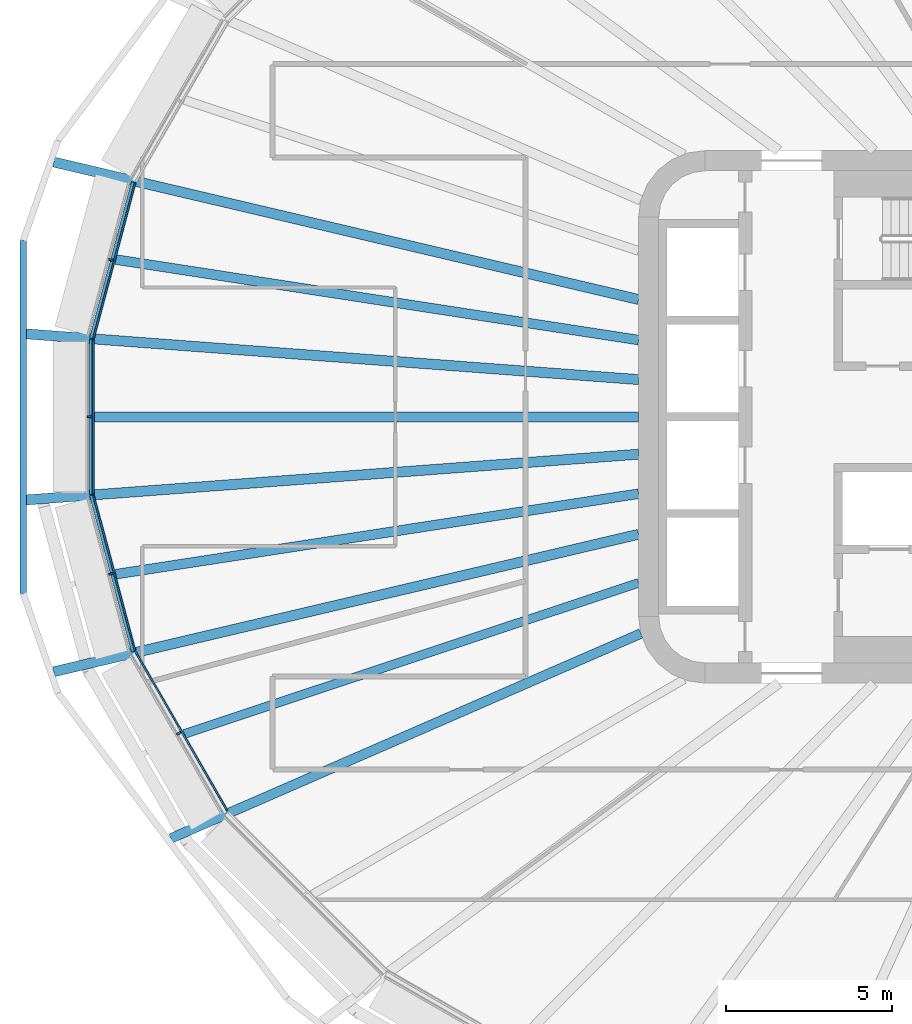
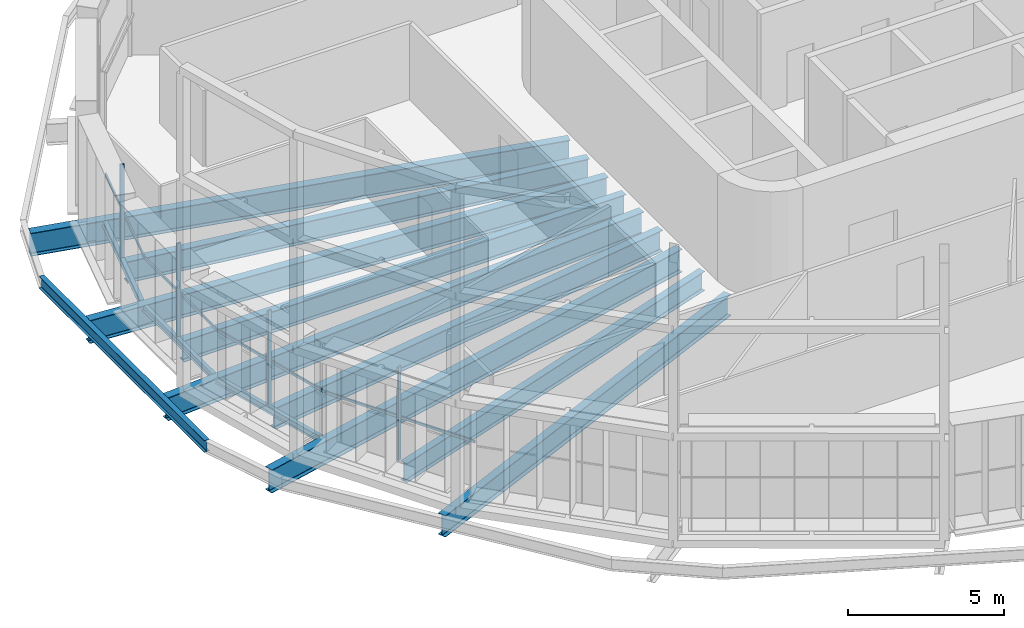
# One storey, part 3 of 25: 13 beams, 8 members, 4 elements without a shape of their own.
"""IFC4 building model written with IfcOpenShell, lengths in metres."""

from ifc_helpers import new_model, si_unit, direction, frame, origin, origin_2d, place, context, subcontext, project, spatial, rectangle, i_section, extrude, material, layer, layer_set, material_profile, profile_set, type_object, element, aggregate, save


model = new_model("IFC4")

# Units and contexts
model_context = context("Model", 3, precision=1e-05, world=origin(), true_north=direction((0.0, 1.0)))
body_context = subcontext(model_context, "Body", "Model", "MODEL_VIEW")
ifc_project = project(units=[si_unit("LENGTHUNIT", "METRE"), si_unit("AREAUNIT", "SQUARE_METRE"), si_unit("VOLUMEUNIT", "CUBIC_METRE"), si_unit("PLANEANGLEUNIT", "RADIAN"), si_unit("MASSUNIT", "GRAM", prefix="KILO")], contexts=[model_context])

# Site, building, storey
site_placement = place(None, origin())
site = spatial("IfcSite", under=ifc_project, at=site_placement, CompositionType="ELEMENT")
building_placement = place(site_placement, origin())
building = spatial("IfcBuilding", under=site, at=building_placement, Name="Sahrelin Media Tower", CompositionType="ELEMENT")
storey_placement = place(building_placement, frame((0.0, 0.0, 135.60009765625)))
storey = spatial("IfcBuildingStorey", under=building, at=storey_placement, Name="L27", CompositionType="ELEMENT", Elevation=135.60009765625)

# Beams
ifc_material_1 = material(Name="Steel S355", Category="steel")
ifc_material_profile_1 = material_profile(ifc_material_1, i_section(OverallWidth=0.14599609375, OverallDepth=0.25146484375, WebThickness=0.006103515625, FlangeThickness=0.008544921875, FilletRadius=0.007568359375, at=origin_2d()), Name="UB 254x146x31")
ifc_profile_set_1 = profile_set([ifc_material_profile_1], Name="Steel S355")
beam_type_1 = type_object("IfcBeamType", Name="Edge beam EB1", PredefinedType="BEAM", material=ifc_profile_set_1)
beam_1_placement = place(storey_placement, frame((-30.165771484375, -7.052001953125, -0.27587890625), z_axis=(-0.258796286999, 0.965931924017, 0.0), x_axis=(-0.965931924017, -0.258796286999, 0.0)))
element("IfcBeam", 1, at=beam_1_placement, inside=storey, type_object=beam_type_1, Name="Edge beam L27-12", PredefinedType="BEAM", context=body_context, shape_type="SweptSolid", body=[
    extrude(i_section(OverallWidth=0.14599609375, OverallDepth=0.25146484375, WebThickness=0.006103515625, FlangeThickness=0.008544921875, FilletRadius=0.007568359375, at=origin_2d()), origin(), (0.0, 0.0, 1.0), 4.864990234375),
])
beam_2_placement = place(storey_placement, frame((-31.4287109375, -2.32421875, -0.27587890625), z_axis=(0.0, 1.0, 0.0), x_axis=(-1.0, 0.0, 0.0)))
element("IfcBeam", 2, at=beam_2_placement, inside=storey, type_object=beam_type_1, Name="Edge beam L27-13", PredefinedType="BEAM", context=body_context, shape_type="SweptSolid", body=[
    extrude(i_section(OverallWidth=0.14599609375, OverallDepth=0.25146484375, WebThickness=0.006103515625, FlangeThickness=0.008544921875, FilletRadius=0.007568359375, at=origin_2d()), origin(), (0.0, 0.0, 1.0), 4.6484375),
])
beam_3_placement = place(storey_placement, frame((-31.4248046875, 2.352783203125, -0.27587890625), z_axis=(0.258796286999, 0.965931924017, 0.0), x_axis=(-0.965931924017, 0.258796286999, 0.0)))
element("IfcBeam", 3, at=beam_3_placement, inside=storey, type_object=beam_type_1, Name="Edge beam L27-14", PredefinedType="BEAM", context=body_context, shape_type="SweptSolid", body=[
    extrude(i_section(OverallWidth=0.14599609375, OverallDepth=0.25146484375, WebThickness=0.006103515625, FlangeThickness=0.008544921875, FilletRadius=0.007568359375, at=origin_2d()), origin(), (0.0, 0.0, 1.0), 4.864990234375),
])

# Curtain wall, member
ifc_material_2 = material(Name="Champagne anodised aluminium 6063-T6", Category="aluminium")
ifc_layer = layer(ifc_material_2, 0.14990234375)
ifc_layer_set = layer_set([ifc_layer], Name="Tower ribbon curtain wall")
curtain_wall_type = type_object("IfcCurtainWallType", Name="Tower ribbon curtain wall", PredefinedType="NOTDEFINED", material=ifc_layer_set)
curtain_wall_1_placement = place(storey_placement, frame((-30.940185546875, 4.7412109375, 0.0), z_axis=(0.0, 0.0, 1.0), x_axis=(1.0, 0.0, 0.0)))
curtain_wall_1 = element("IfcCurtainWall", 4, at=curtain_wall_1_placement, inside=storey, type_object=curtain_wall_type, Name="L27:CW:L27-11", PredefinedType="NOTDEFINED")
ifc_material_profile_2 = material_profile(ifc_material_2, rectangle(XDim=0.06005859375, YDim=0.14990234375, at=origin_2d()), Name="Mullion 60x150")
ifc_profile_set_2 = profile_set([ifc_material_profile_2], Name="Champagne anodised aluminium 6063-T6")
member_type_1 = type_object("IfcMemberType", Name="Mullion 60x150 CW1", PredefinedType="MULLION", material=ifc_profile_set_2)
member_1_placement = place(storey_placement, frame((-30.848388671875, 4.716552734375, 0.0), z_axis=(0.0, 0.0, 1.0), x_axis=(-0.258827474386, -0.96592356763, 0.0)))
member_1 = element("IfcMember", 5, at=member_1_placement, type_object=member_type_1, Name="L27:CWM:L27-11", PredefinedType="MULLION", context=body_context, shape_type="SweptSolid", body=[
    extrude(rectangle(XDim=0.06005859375, YDim=0.14990234375, at=origin_2d()), origin(), (0.0, 0.0, 1.0), 3.6484375),
])

curtain_wall_2_placement = place(storey_placement, frame((-31.57861328125, 0.0, 0.0), z_axis=(0.0, 0.0, 1.0), x_axis=(1.0, 0.0, 0.0)))
curtain_wall_2 = element("IfcCurtainWall", 6, at=curtain_wall_2_placement, inside=storey, type_object=curtain_wall_type, Name="L27:CW:L27-12", PredefinedType="NOTDEFINED")
member_2_placement = place(storey_placement, frame((-31.483642578125, 0.0, 0.0), z_axis=(0.0, 0.0, 1.0), x_axis=(0.0, -1.0, 0.0)))
member_2 = element("IfcMember", 7, at=member_2_placement, type_object=member_type_1, Name="L27:CWM:L27-12", PredefinedType="MULLION", context=body_context, shape_type="SweptSolid", body=[
    extrude(rectangle(XDim=0.06005859375, YDim=0.14990234375, at=origin_2d()), origin(), (0.0, 0.0, 1.0), 3.6484375),
])

curtain_wall_3_placement = place(storey_placement, frame((-30.940185546875, -4.7412109375, 0.0), z_axis=(0.0, 0.0, 1.0), x_axis=(1.0, 0.0, 0.0)))
curtain_wall_3 = element("IfcCurtainWall", 8, at=curtain_wall_3_placement, inside=storey, type_object=curtain_wall_type, Name="L27:CW:L27-13", PredefinedType="NOTDEFINED")
member_3_placement = place(storey_placement, frame((-30.848388671875, -4.716552734375, 0.0), z_axis=(0.0, 0.0, 1.0), x_axis=(0.258827474386, -0.96592356763, 0.0)))
member_3 = element("IfcMember", 9, at=member_3_placement, type_object=member_type_1, Name="L27:CWM:L27-13", PredefinedType="MULLION", context=body_context, shape_type="SweptSolid", body=[
    extrude(rectangle(XDim=0.06005859375, YDim=0.14990234375, at=origin_2d()), origin(), (0.0, 0.0, 1.0), 3.6484375),
])

curtain_wall_4_placement = place(storey_placement, frame((-28.8984375, -9.5546875, 0.0), z_axis=(0.0, 0.0, 1.0), x_axis=(1.0, 0.0, 0.0)))
curtain_wall_4 = element("IfcCurtainWall", 10, at=curtain_wall_4_placement, inside=storey, type_object=curtain_wall_type, Name="L27:CW:L27-14", PredefinedType="NOTDEFINED")
member_4_placement = place(storey_placement, frame((-28.816162109375, -9.507080078125, 0.0), z_axis=(0.0, 0.0, 1.0), x_axis=(0.49999395399, -0.866028894422, 0.0)))
member_4 = element("IfcMember", 11, at=member_4_placement, type_object=member_type_1, Name="L27:CWM:L27-14", PredefinedType="MULLION", context=body_context, shape_type="SweptSolid", body=[
    extrude(rectangle(XDim=0.06005859375, YDim=0.14990234375, at=origin_2d()), origin(), (0.0, 0.0, 1.0), 3.6484375),
])

# Beams
ifc_material_profile_3 = material_profile(ifc_material_1, i_section(OverallWidth=0.291748046875, OverallDepth=0.8349609375, WebThickness=0.013916015625, FlangeThickness=0.018798828125, FilletRadius=0.017822265625, at=origin_2d()), Name="UB 838x292x176")
ifc_profile_set_3 = profile_set([ifc_material_profile_3], Name="Steel S355")
beam_type_2 = type_object("IfcBeamType", Name="Radial primary beam PB10", PredefinedType="BEAM", material=ifc_profile_set_3)
beam_4_placement = place(storey_placement, frame((-14.93310546875, -6.509521484375, -0.567626953125), z_axis=(-0.916692689736, -0.399592933601, 0.0), x_axis=(0.399592933601, -0.916692689736, 0.0)))
element("IfcBeam", 12, at=beam_4_placement, inside=storey, type_object=beam_type_2, Name="Radial beam L27-15", PredefinedType="BEAM", context=body_context, shape_type="SweptSolid", body=[
    extrude(i_section(OverallWidth=0.291748046875, OverallDepth=0.8349609375, WebThickness=0.013916015625, FlangeThickness=0.018798828125, FilletRadius=0.017822265625, at=origin_2d()), origin(), (0.0, 0.0, 1.0), 15.40380859375),
])
ifc_material_profile_4 = material_profile(ifc_material_1, i_section(OverallWidth=0.30322265625, OverallDepth=0.903076171875, WebThickness=0.01513671875, FlangeThickness=0.020263671875, FilletRadius=0.01904296875, at=origin_2d()), Name="UB 914x305x201")
ifc_profile_set_4 = profile_set([ifc_material_profile_4], Name="Steel S355")
beam_type_3 = type_object("IfcBeamType", Name="Radial primary beam PB11", PredefinedType="BEAM", material=ifc_profile_set_4)
beam_5_placement = place(storey_placement, frame((-15.0, 3.5263671875, -0.6015625), z_axis=(-0.973459016424, 0.22886140641, 0.0), x_axis=(-0.22886140641, -0.973459016424, 0.0)))
element("IfcBeam", 13, at=beam_5_placement, inside=storey, type_object=beam_type_3, Name="Radial beam L27-11", PredefinedType="BEAM", context=body_context, shape_type="SweptSolid", body=[
    extrude(i_section(OverallWidth=0.30322265625, OverallDepth=0.903076171875, WebThickness=0.01513671875, FlangeThickness=0.020263671875, FilletRadius=0.01904296875, at=origin_2d()), origin(), (0.0, 0.0, 1.0), 18.049560546875),
])
for number, where, z_axis, x_axis, name in (
    (14, (-15.0, 1.120361328125, -0.6015625), (-0.997223267911, 0.074469818961, 0.0), (-0.074469818961, -0.997223267911, 0.0), "Radial beam L27-12"),
    (15, (-15.0, -1.120361328125, -0.6015625), (-0.997223267911, -0.074469818961, 0.0), (0.074469818961, -0.997223267911, 0.0), "Radial beam L27-13"),
):
    element("IfcBeam", number, at=place(storey_placement, frame(where, z_axis=z_axis, x_axis=x_axis)), inside=storey, type_object=beam_type_3, Name=name, PredefinedType="BEAM", context=body_context, shape_type="SweptSolid", body=[
        extrude(i_section(OverallWidth=0.30322265625, OverallDepth=0.903076171875, WebThickness=0.01513671875, FlangeThickness=0.020263671875, FilletRadius=0.01904296875, at=origin_2d()), origin(), (0.0, 0.0, 1.0), 18.447509765625),
    ])
beam_6_placement = place(storey_placement, frame((-15.0, -3.5263671875, -0.6015625), z_axis=(-0.973459016424, -0.22886140641, 0.0), x_axis=(0.22886140641, -0.973459016424, 0.0)))
element("IfcBeam", 16, at=beam_6_placement, inside=storey, type_object=beam_type_3, Name="Radial beam L27-14", PredefinedType="BEAM", context=body_context, shape_type="SweptSolid", body=[
    extrude(i_section(OverallWidth=0.30322265625, OverallDepth=0.903076171875, WebThickness=0.01513671875, FlangeThickness=0.020263671875, FilletRadius=0.01904296875, at=origin_2d()), origin(), (0.0, 0.0, 1.0), 18.049560546875),
])
ifc_material_profile_5 = material_profile(ifc_material_1, i_section(OverallWidth=0.291748046875, OverallDepth=0.8349609375, WebThickness=0.013916015625, FlangeThickness=0.018798828125, FilletRadius=0.017822265625, at=origin_2d()), Name="UB 838x292x176")
ifc_profile_set_5 = profile_set([ifc_material_profile_5], Name="Steel S355")
beam_type_4 = type_object("IfcBeamType", Name="Radial secondary beam SB10", PredefinedType="BEAM", material=ifc_profile_set_5)
beam_7_placement = place(storey_placement, frame((-15.0, 2.308837890625, -0.567626953125), z_axis=(-0.988359089309, 0.152139115876, 0.0), x_axis=(-0.152139115876, -0.988359089309, 0.0)))
element("IfcBeam", 17, at=beam_7_placement, inside=storey, type_object=beam_type_4, Name="Secondary beam L27-11", PredefinedType="BEAM", context=body_context, shape_type="SweptSolid", body=[
    extrude(i_section(OverallWidth=0.291748046875, OverallDepth=0.8349609375, WebThickness=0.013916015625, FlangeThickness=0.018798828125, FilletRadius=0.017822265625, at=origin_2d()), origin(), (0.0, 0.0, 1.0), 15.89794921875),
])
beam_8_placement = place(storey_placement, frame((-15.0, 0.0, -0.567626953125), z_axis=(-1.0, 0.0, 0.0), x_axis=(0.0, -1.0, 0.0)))
element("IfcBeam", 18, at=beam_8_placement, inside=storey, type_object=beam_type_4, Name="Secondary beam L27-12", PredefinedType="BEAM", context=body_context, shape_type="SweptSolid", body=[
    extrude(i_section(OverallWidth=0.291748046875, OverallDepth=0.8349609375, WebThickness=0.013916015625, FlangeThickness=0.018798828125, FilletRadius=0.017822265625, at=origin_2d()), origin(), (0.0, 0.0, 1.0), 16.355712890625),
])
beam_9_placement = place(storey_placement, frame((-15.0, -2.308837890625, -0.567626953125), z_axis=(-0.988359089309, -0.152139115876, 0.0), x_axis=(0.152139115876, -0.988359089309, 0.0)))
element("IfcBeam", 19, at=beam_9_placement, inside=storey, type_object=beam_type_4, Name="Secondary beam L27-13", PredefinedType="BEAM", context=body_context, shape_type="SweptSolid", body=[
    extrude(i_section(OverallWidth=0.291748046875, OverallDepth=0.8349609375, WebThickness=0.013916015625, FlangeThickness=0.018798828125, FilletRadius=0.017822265625, at=origin_2d()), origin(), (0.0, 0.0, 1.0), 15.89794921875),
])
ifc_material_profile_6 = material_profile(ifc_material_1, i_section(OverallWidth=0.26513671875, OverallDepth=0.75390625, WebThickness=0.0126953125, FlangeThickness=0.017578125, FilletRadius=0.0166015625, at=origin_2d()), Name="UB 762x267x147")
ifc_profile_set_6 = profile_set([ifc_material_profile_6], Name="Steel S355")
beam_type_5 = type_object("IfcBeamType", Name="Radial secondary beam SB9", PredefinedType="BEAM", material=ifc_profile_set_6)
beam_10_placement = place(storey_placement, frame((-15.0, -4.9873046875, -0.527099609375), z_axis=(-0.948922383089, -0.315509605039, 0.0), x_axis=(0.315509605039, -0.948922383089, 0.0)))
element("IfcBeam", 20, at=beam_10_placement, inside=storey, type_object=beam_type_5, Name="Secondary beam L27-14", PredefinedType="BEAM", context=body_context, shape_type="SweptSolid", body=[
    extrude(i_section(OverallWidth=0.26513671875, OverallDepth=0.75390625, WebThickness=0.0126953125, FlangeThickness=0.017578125, FilletRadius=0.0166015625, at=origin_2d()), origin(), (0.0, 0.0, 1.0), 14.3818359375),
])
ifc_material_profile_7 = material_profile(ifc_material_1, i_section(OverallWidth=0.1904296875, OverallDepth=0.45703125, WebThickness=0.009033203125, FlangeThickness=0.014404296875, FilletRadius=0.01025390625, at=origin_2d()), Name="UB 457x191x74")
ifc_profile_set_7 = profile_set([ifc_material_profile_7], Name="Steel S355")
beam_type_6 = type_object("IfcBeamType", Name="Tie chord TC5", PredefinedType="BEAM", material=ifc_profile_set_7)
beam_11_placement = place(storey_placement, frame((-33.491455078125, 5.301513671875, -0.378662109375), z_axis=(0.0, -1.0, 0.0), x_axis=(1.0, 0.0, 0.0)))
element("IfcBeam", 21, at=beam_11_placement, inside=storey, type_object=beam_type_6, Name="Tie chord L27-12", PredefinedType="BEAM", context=body_context, shape_type="SweptSolid", body=[
    extrude(i_section(OverallWidth=0.1904296875, OverallDepth=0.45703125, WebThickness=0.009033203125, FlangeThickness=0.014404296875, FilletRadius=0.01025390625, at=origin_2d()), origin(), (0.0, 0.0, 1.0), 10.60302734375),
])

# Member
ifc_material_profile_8 = material_profile(ifc_material_2, rectangle(XDim=0.050048828125, YDim=0.10009765625, at=origin_2d()), Name="Transom 50x100")
ifc_profile_set_8 = profile_set([ifc_material_profile_8], Name="Champagne anodised aluminium 6063-T6")
member_type_2 = type_object("IfcMemberType", Name="Transom 50x100 CW1", PredefinedType="USERDEFINED", material=ifc_profile_set_8)
member_5_placement = place(storey_placement, frame((-30.12646484375, 7.02490234375, 1.599853515625), z_axis=(-0.258819402949, -0.965925730404, 0.0), x_axis=(0.965925730404, -0.258819402949, 0.0)))
member_5 = element("IfcMember", 22, at=member_5_placement, type_object=member_type_2, Name="L27:CWT:L27-11", ObjectType="TRANSOM", PredefinedType="USERDEFINED", context=body_context, shape_type="SweptSolid", body=[
    extrude(rectangle(XDim=0.050048828125, YDim=0.10009765625, at=origin_2d()), origin(), (0.0, 0.0, 1.0), 4.83349609375),
])

aggregate(curtain_wall_1, [member_1, member_5])

member_6_placement = place(storey_placement, frame((-31.3837890625, 2.30859375, 1.599853515625), z_axis=(0.0, -1.0, 0.0), x_axis=(1.0, 0.0, 0.0)))
member_6 = element("IfcMember", 23, at=member_6_placement, type_object=member_type_2, Name="L27:CWT:L27-12", ObjectType="TRANSOM", PredefinedType="USERDEFINED", context=body_context, shape_type="SweptSolid", body=[
    extrude(rectangle(XDim=0.050048828125, YDim=0.10009765625, at=origin_2d()), origin(), (0.0, 0.0, 1.0), 4.6171875),
])

aggregate(curtain_wall_2, [member_2, member_6])

member_7_placement = place(storey_placement, frame((-31.37744140625, -2.356201171875, 1.599853515625), z_axis=(0.258819402949, -0.965925730404, 0.0), x_axis=(0.965925730404, 0.258819402949, 0.0)))
member_7 = element("IfcMember", 24, at=member_7_placement, type_object=member_type_2, Name="L27:CWT:L27-13", ObjectType="TRANSOM", PredefinedType="USERDEFINED", context=body_context, shape_type="SweptSolid", body=[
    extrude(rectangle(XDim=0.050048828125, YDim=0.10009765625, at=origin_2d()), origin(), (0.0, 0.0, 1.0), 4.83349609375),
])

aggregate(curtain_wall_3, [member_3, member_7])

member_8_placement = place(storey_placement, frame((-30.10791015625, -7.069580078125, 1.599853515625), z_axis=(0.500006091826, -0.866021886639, 0.0), x_axis=(0.866021886639, 0.500006091826, 0.0)))
member_8 = element("IfcMember", 25, at=member_8_placement, type_object=member_type_2, Name="L27:CWT:L27-14", ObjectType="TRANSOM", PredefinedType="USERDEFINED", context=body_context, shape_type="SweptSolid", body=[
    extrude(rectangle(XDim=0.050048828125, YDim=0.10009765625, at=origin_2d()), origin(), (0.0, 0.0, 1.0), 5.513671875),
])

aggregate(curtain_wall_4, [member_4, member_8])

save(model, "model.ifc")
